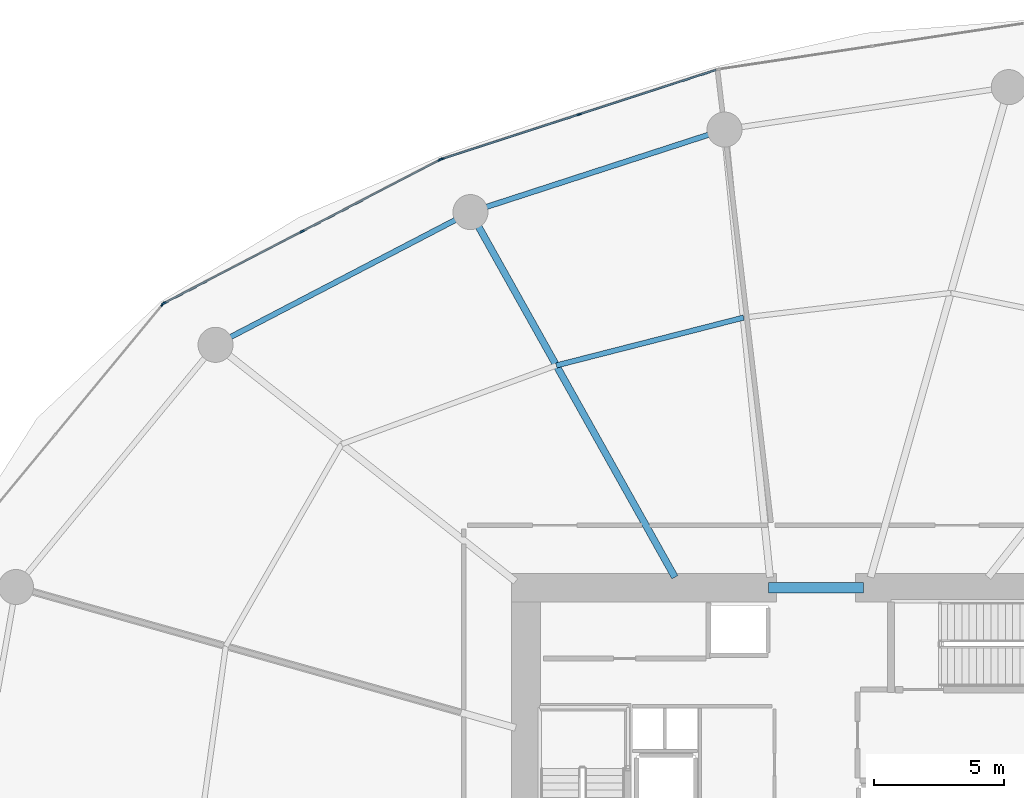
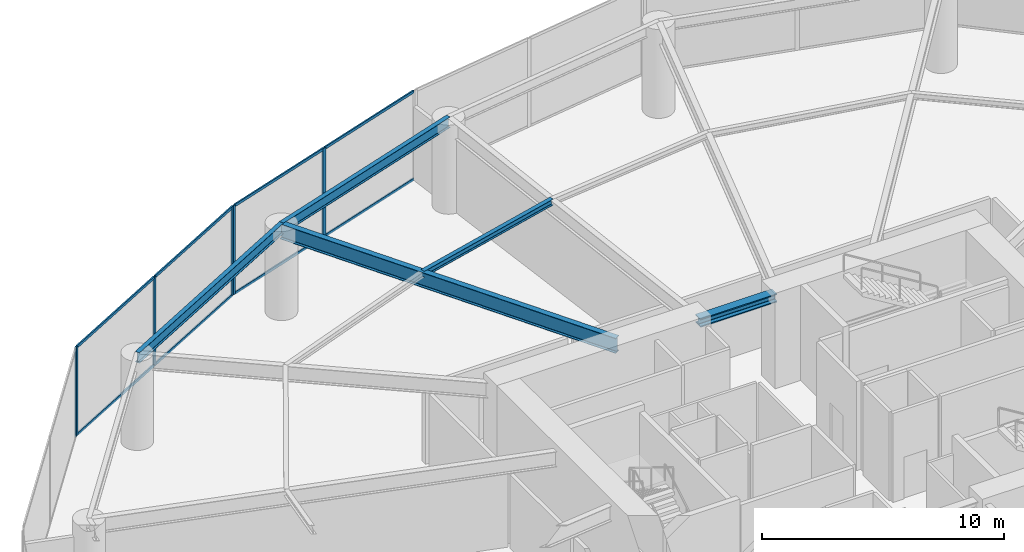
# One storey, part 13 of 22: 14 members, 5 beams, 3 elements without a shape of their own.
"""IFC4 building model written with IfcOpenShell, lengths in metres."""

from ifc_helpers import new_model, si_unit, direction, frame, origin, origin_2d, place, context, subcontext, project, spatial, rectangle, i_section, extrude, material, layer, layer_set, material_profile, profile_set, type_object, element, aggregate, save


model = new_model("IFC4")

# Units and contexts
model_context = context("Model", 3, precision=1e-05, world=origin(), true_north=direction((0.0, 1.0)))
body_context = subcontext(model_context, "Body", "Model", "MODEL_VIEW")
ifc_project = project(units=[si_unit("LENGTHUNIT", "METRE"), si_unit("AREAUNIT", "SQUARE_METRE"), si_unit("VOLUMEUNIT", "CUBIC_METRE"), si_unit("PLANEANGLEUNIT", "RADIAN"), si_unit("MASSUNIT", "GRAM", prefix="KILO")], contexts=[model_context])

# Site, building, storey
site_placement = place(None, origin())
site = spatial("IfcSite", under=ifc_project, at=site_placement, CompositionType="ELEMENT")
building_placement = place(site_placement, origin())
building = spatial("IfcBuilding", under=site, at=building_placement, Name="Kazma Halo Residences", CompositionType="ELEMENT")
storey_placement = place(building_placement, frame((0.0, 0.0, 7.199951171875)))
storey = spatial("IfcBuildingStorey", under=building, at=storey_placement, Name="L01", CompositionType="ELEMENT", Elevation=7.199951171875)

# Beams
ifc_material_1 = material(Name="Steel S355", Category="steel")
ifc_material_profile_1 = material_profile(ifc_material_1, i_section(OverallWidth=0.408935546875, OverallDepth=0.425048828125, WebThickness=0.03271484375, FlangeThickness=0.052490234375, FilletRadius=0.02001953125, at=origin_2d()), Name="W360x421")
ifc_profile_set_1 = profile_set([ifc_material_profile_1], Name="Steel S355")
beam_type_1 = type_object("IfcBeamType", Name="BM-CORE-W360H", PredefinedType="BEAM", material=ifc_profile_set_1)
beam_1_placement = place(storey_placement, frame((46.60009765625, 50.550048828125, 4.267578125), z_axis=(1.0, 0.0, 0.0), x_axis=(0.0, 1.0, 0.0)))
element("IfcBeam", 1, at=beam_1_placement, inside=storey, type_object=beam_type_1, Name="L01 core coupling beam N", PredefinedType="BEAM", context=body_context, shape_type="SweptSolid", body=[
    extrude(i_section(OverallWidth=0.408935546875, OverallDepth=0.425048828125, WebThickness=0.03271484375, FlangeThickness=0.052490234375, FilletRadius=0.02001953125, at=origin_2d()), origin(), (0.0, 0.0, 1.0), 3.64990234375),
])
ifc_material_profile_2 = material_profile(ifc_material_1, i_section(OverallWidth=0.26708984375, OverallDepth=0.761962890625, WebThickness=0.014404296875, FlangeThickness=0.021484375, FilletRadius=0.02001953125, at=origin_2d()), Name="W760x173")
ifc_profile_set_2 = profile_set([ifc_material_profile_2], Name="Steel S355")
beam_type_2 = type_object("IfcBeamType", Name="BM-POD-W760", PredefinedType="BEAM", material=ifc_profile_set_2)
beam_2_placement = place(storey_placement, frame((42.98779296875, 50.949951171875, 4.09912109375), z_axis=(-0.488623198121, 0.872494911308, 0.0), x_axis=(-0.872494911308, -0.488623198121, 0.0)))
element("IfcBeam", 2, at=beam_2_placement, inside=storey, type_object=beam_type_2, Name="L01 radial floor beam 05", PredefinedType="BEAM", context=body_context, shape_type="SweptSolid", body=[
    extrude(i_section(OverallWidth=0.26708984375, OverallDepth=0.761962890625, WebThickness=0.014404296875, FlangeThickness=0.021484375, FilletRadius=0.02001953125, at=origin_2d()), origin(), (0.0, 0.0, 1.0), 16.12109375),
])
ifc_material_profile_3 = material_profile(ifc_material_1, i_section(OverallWidth=0.202880859375, OverallDepth=0.302978515625, WebThickness=0.007568359375, FlangeThickness=0.01318359375, FilletRadius=0.013916015625, at=origin_2d()), Name="W310x60")
ifc_profile_set_3 = profile_set([ifc_material_profile_3], Name="Steel S355")
beam_type_3 = type_object("IfcBeamType", Name="BM-SEC-W310A", PredefinedType="JOIST", material=ifc_profile_set_3)
beam_3_placement = place(storey_placement, frame((45.634765625, 60.95263671875, 4.32861328125), z_axis=(-0.968838753185, -0.247692289598, 0.0), x_axis=(0.247692289598, -0.968838753185, 0.0)))
element("IfcBeam", 3, at=beam_3_placement, inside=storey, type_object=beam_type_3, Name="L01 circumferential floor joist 04", PredefinedType="JOIST", context=body_context, shape_type="SweptSolid", body=[
    extrude(i_section(OverallWidth=0.202880859375, OverallDepth=0.302978515625, WebThickness=0.007568359375, FlangeThickness=0.01318359375, FilletRadius=0.013916015625, at=origin_2d()), origin(), (0.0, 0.0, 1.0), 7.44775390625),
])
ifc_material_profile_4 = material_profile(ifc_material_1, i_section(OverallWidth=0.208984375, OverallDepth=0.532958984375, WebThickness=0.01025390625, FlangeThickness=0.015625, FilletRadius=0.01611328125, at=origin_2d()), Name="W530x92")
ifc_profile_set_4 = profile_set([ifc_material_profile_4], Name="Steel S355")
beam_type_4 = type_object("IfcBeamType", Name="BM-SPN-W530", PredefinedType="BEAM", material=ifc_profile_set_4)
beam_4_placement = place(storey_placement, frame((44.8994140625, 68.196044921875, 4.213623046875), z_axis=(-0.951061083857, -0.309002936511, 0.0), x_axis=(0.309002936511, -0.951061083857, 0.0)))
element("IfcBeam", 4, at=beam_4_placement, inside=storey, type_object=beam_type_4, Name="L01 perimeter ring beam 04", PredefinedType="BEAM", context=body_context, shape_type="SweptSolid", body=[
    extrude(i_section(OverallWidth=0.208984375, OverallDepth=0.532958984375, WebThickness=0.01025390625, FlangeThickness=0.015625, FilletRadius=0.01611328125, at=origin_2d()), origin(), (0.0, 0.0, 1.0), 10.29248046875),
])
beam_5_placement = place(storey_placement, frame((35.110595703125, 65.015625, 4.213623046875), z_axis=(-0.886954171981, -0.461857442082, 0.0), x_axis=(0.461857442082, -0.886954171981, 0.0)))
element("IfcBeam", 5, at=beam_5_placement, inside=storey, type_object=beam_type_4, Name="L01 perimeter ring beam 05", PredefinedType="BEAM", context=body_context, shape_type="SweptSolid", body=[
    extrude(i_section(OverallWidth=0.208984375, OverallDepth=0.532958984375, WebThickness=0.01025390625, FlangeThickness=0.015625, FilletRadius=0.01611328125, at=origin_2d()), origin(), (0.0, 0.0, 1.0), 11.071044921875),
])

# Curtain wall, members
ifc_material_2 = material(Name="Aluminium AW-6063 T6 and Triple-Silver Low-E Glass", Category="aluminium")
ifc_layer = layer(ifc_material_2, 0.179931640625)
ifc_layer_set = layer_set([ifc_layer], Name="Aluminium AW-6063 T6 and Triple-Silver Low-E Glass")
curtain_wall_type = type_object("IfcCurtainWallType", Name="CW-SYS-1", PredefinedType="NOTDEFINED", material=ifc_layer_set)
curtain_wall_1_placement = place(storey_placement, origin())
curtain_wall_1 = element("IfcCurtainWall", 6, at=curtain_wall_1_placement, inside=storey, type_object=curtain_wall_type, Name="L01 unitised curtain wall B04", PredefinedType="NOTDEFINED")
ifc_material_3 = material(Name="Aluminium AW-6063 T6", Category="aluminium")
ifc_material_profile_5 = material_profile(ifc_material_3, rectangle(XDim=0.06494140625, YDim=0.179931640625, at=origin_2d()), Name="CWM-65x180")
ifc_profile_set_5 = profile_set([ifc_material_profile_5], Name="Aluminium AW-6063 T6")
member_type_1 = type_object("IfcMemberType", Name="CW-SYS-1-MUL", PredefinedType="MULLION", material=ifc_profile_set_5)
member_1_placement = place(storey_placement, frame((39.298828125, 68.77978515625, 0.0), z_axis=(0.0, 0.0, 1.0), x_axis=(0.309017239211, -0.951056436743, 0.0)))
member_1 = element("IfcMember", 7, at=member_1_placement, type_object=member_type_1, Name="CWS-1 mullion 2", PredefinedType="MULLION", context=body_context, shape_type="SweptSolid", body=[
    extrude(rectangle(XDim=0.06494140625, YDim=0.179931640625, at=origin_2d()), origin(), (0.0, 0.0, 1.0), 4.47998046875),
])
member_2_placement = place(storey_placement, frame((34.0029296875, 67.058837890625, 0.0), z_axis=(0.0, 0.0, 1.0), x_axis=(0.309017239211, -0.951056436743, 0.0)))
member_2 = element("IfcMember", 8, at=member_2_placement, type_object=member_type_1, Name="CWS-1 mullion 3", PredefinedType="MULLION", context=body_context, shape_type="SweptSolid", body=[
    extrude(rectangle(XDim=0.06494140625, YDim=0.179931640625, at=origin_2d()), origin(), (0.0, 0.0, 1.0), 4.47998046875),
])

curtain_wall_2_placement = place(storey_placement, origin())
curtain_wall_2 = element("IfcCurtainWall", 9, at=curtain_wall_2_placement, inside=storey, type_object=curtain_wall_type, Name="L01 unitised curtain wall B05", PredefinedType="NOTDEFINED")
member_3_placement = place(storey_placement, frame((33.943115234375, 67.033935546875, 0.0), z_axis=(0.0, 0.0, 1.0), x_axis=(0.46108680311, -0.887355036047, 0.0)))
member_3 = element("IfcMember", 10, at=member_3_placement, type_object=member_type_1, Name="CWS-1 mullion 1", PredefinedType="MULLION", context=body_context, shape_type="SweptSolid", body=[
    extrude(rectangle(XDim=0.06494140625, YDim=0.179931640625, at=origin_2d()), origin(), (0.0, 0.0, 1.0), 4.47998046875),
])
member_4_placement = place(storey_placement, frame((28.623779296875, 64.27001953125, 0.0), z_axis=(0.0, 0.0, 1.0), x_axis=(0.46108680311, -0.887355036047, 0.0)))
member_4 = element("IfcMember", 11, at=member_4_placement, type_object=member_type_1, Name="CWS-1 mullion 2", PredefinedType="MULLION", context=body_context, shape_type="SweptSolid", body=[
    extrude(rectangle(XDim=0.06494140625, YDim=0.179931640625, at=origin_2d()), origin(), (0.0, 0.0, 1.0), 4.47998046875),
])
member_5_placement = place(storey_placement, frame((23.3046875, 61.506103515625, 0.0), z_axis=(0.0, 0.0, 1.0), x_axis=(0.46108680311, -0.887355036047, 0.0)))
member_5 = element("IfcMember", 12, at=member_5_placement, type_object=member_type_1, Name="CWS-1 mullion 3", PredefinedType="MULLION", context=body_context, shape_type="SweptSolid", body=[
    extrude(rectangle(XDim=0.06494140625, YDim=0.179931640625, at=origin_2d()), origin(), (0.0, 0.0, 1.0), 4.47998046875),
])

# Curtain wall, member
curtain_wall_3_placement = place(storey_placement, origin())
curtain_wall_3 = element("IfcCurtainWall", 13, at=curtain_wall_3_placement, inside=storey, type_object=curtain_wall_type, Name="L01 unitised curtain wall B06", PredefinedType="NOTDEFINED")
member_6_placement = place(storey_placement, frame((23.255126953125, 61.4658203125, 0.0), z_axis=(0.0, 0.0, 1.0), x_axis=(0.771191775002, -0.636602895194, 0.0)))
member_6 = element("IfcMember", 14, at=member_6_placement, type_object=member_type_1, Name="CWS-1 mullion 1", PredefinedType="MULLION", context=body_context, shape_type="SweptSolid", body=[
    extrude(rectangle(XDim=0.06494140625, YDim=0.179931640625, at=origin_2d()), origin(), (0.0, 0.0, 1.0), 4.47998046875),
])
aggregate(curtain_wall_3, [member_6])

# Member
ifc_material_profile_6 = material_profile(ifc_material_3, rectangle(XDim=0.06494140625, YDim=0.135009765625, at=origin_2d()), Name="CWT-65x135")
ifc_profile_set_6 = profile_set([ifc_material_profile_6], Name="Aluminium AW-6063 T6")
member_type_2 = type_object("IfcMemberType", Name="CW-SYS-1-TRN", PredefinedType="USERDEFINED", material=ifc_profile_set_6)
member_7_placement = place(storey_placement, frame((44.563720703125, 70.490478515625, 0.032470703125), z_axis=(-0.951055908328, -0.309018865498, 0.0), x_axis=(0.309018865498, -0.951055908328, 0.0)))
member_7 = element("IfcMember", 15, at=member_7_placement, type_object=member_type_2, Name="CWS-1 transom 1.1", ObjectType="TRANSOM", PredefinedType="USERDEFINED", context=body_context, shape_type="SweptSolid", body=[
    extrude(rectangle(XDim=0.06494140625, YDim=0.135009765625, at=origin_2d()), origin(), (0.0, 0.0, 1.0), 5.50341796875),
])

member_8_placement = place(storey_placement, frame((44.563720703125, 70.490478515625, 4.447509765625), z_axis=(-0.951055908328, -0.309018865498, 0.0), x_axis=(0.309018865498, -0.951055908328, 0.0)))
member_8 = element("IfcMember", 16, at=member_8_placement, type_object=member_type_2, Name="CWS-1 transom 1.2", ObjectType="TRANSOM", PredefinedType="USERDEFINED", context=body_context, shape_type="SweptSolid", body=[
    extrude(rectangle(XDim=0.06494140625, YDim=0.135009765625, at=origin_2d()), origin(), (0.0, 0.0, 1.0), 5.50341796875),
])

member_9_placement = place(storey_placement, frame((39.267822265625, 68.769775390625, 0.032470703125), z_axis=(-0.951055908328, -0.309018865498, 0.0), x_axis=(0.309018865498, -0.951055908328, 0.0)))
member_9 = element("IfcMember", 17, at=member_9_placement, type_object=member_type_2, Name="CWS-1 transom 2.1", ObjectType="TRANSOM", PredefinedType="USERDEFINED", context=body_context, shape_type="SweptSolid", body=[
    extrude(rectangle(XDim=0.06494140625, YDim=0.135009765625, at=origin_2d()), origin(), (0.0, 0.0, 1.0), 5.50341796875),
])

member_10_placement = place(storey_placement, frame((39.267822265625, 68.769775390625, 4.447509765625), z_axis=(-0.951055908328, -0.309018865498, 0.0), x_axis=(0.309018865498, -0.951055908328, 0.0)))
member_10 = element("IfcMember", 18, at=member_10_placement, type_object=member_type_2, Name="CWS-1 transom 2.2", ObjectType="TRANSOM", PredefinedType="USERDEFINED", context=body_context, shape_type="SweptSolid", body=[
    extrude(rectangle(XDim=0.06494140625, YDim=0.135009765625, at=origin_2d()), origin(), (0.0, 0.0, 1.0), 5.50341796875),
])

aggregate(curtain_wall_1, [member_1, member_2, member_7, member_8, member_9, member_10])

member_11_placement = place(storey_placement, frame((33.914306640625, 67.01904296875, 0.032470703125), z_axis=(-0.887352259256, -0.461092146966, 0.0), x_axis=(0.461092146966, -0.887352259256, 0.0)))
member_11 = element("IfcMember", 19, at=member_11_placement, type_object=member_type_2, Name="CWS-1 transom 1.1", ObjectType="TRANSOM", PredefinedType="USERDEFINED", context=body_context, shape_type="SweptSolid", body=[
    extrude(rectangle(XDim=0.06494140625, YDim=0.135009765625, at=origin_2d()), origin(), (0.0, 0.0, 1.0), 5.9296875),
])

member_12_placement = place(storey_placement, frame((33.914306640625, 67.01904296875, 4.447509765625), z_axis=(-0.887352259256, -0.461092146966, 0.0), x_axis=(0.461092146966, -0.887352259256, 0.0)))
member_12 = element("IfcMember", 20, at=member_12_placement, type_object=member_type_2, Name="CWS-1 transom 1.2", ObjectType="TRANSOM", PredefinedType="USERDEFINED", context=body_context, shape_type="SweptSolid", body=[
    extrude(rectangle(XDim=0.06494140625, YDim=0.135009765625, at=origin_2d()), origin(), (0.0, 0.0, 1.0), 5.9296875),
])

member_13_placement = place(storey_placement, frame((28.594970703125, 64.2548828125, 0.032470703125), z_axis=(-0.887360351848, -0.461076572781, 0.0), x_axis=(0.461076572781, -0.887360351848, 0.0)))
member_13 = element("IfcMember", 21, at=member_13_placement, type_object=member_type_2, Name="CWS-1 transom 2.1", ObjectType="TRANSOM", PredefinedType="USERDEFINED", context=body_context, shape_type="SweptSolid", body=[
    extrude(rectangle(XDim=0.06494140625, YDim=0.135009765625, at=origin_2d()), origin(), (0.0, 0.0, 1.0), 5.929443359375),
])

member_14_placement = place(storey_placement, frame((28.594970703125, 64.2548828125, 4.447509765625), z_axis=(-0.887360351848, -0.461076572781, 0.0), x_axis=(0.461076572781, -0.887360351848, 0.0)))
member_14 = element("IfcMember", 22, at=member_14_placement, type_object=member_type_2, Name="CWS-1 transom 2.2", ObjectType="TRANSOM", PredefinedType="USERDEFINED", context=body_context, shape_type="SweptSolid", body=[
    extrude(rectangle(XDim=0.06494140625, YDim=0.135009765625, at=origin_2d()), origin(), (0.0, 0.0, 1.0), 5.929443359375),
])

aggregate(curtain_wall_2, [member_3, member_4, member_5, member_11, member_12, member_13, member_14])

save(model, "model.ifc")
